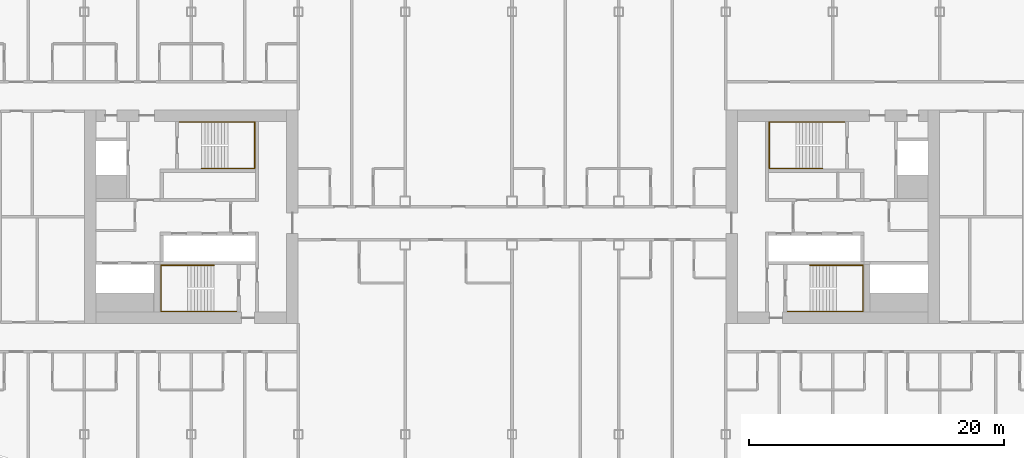
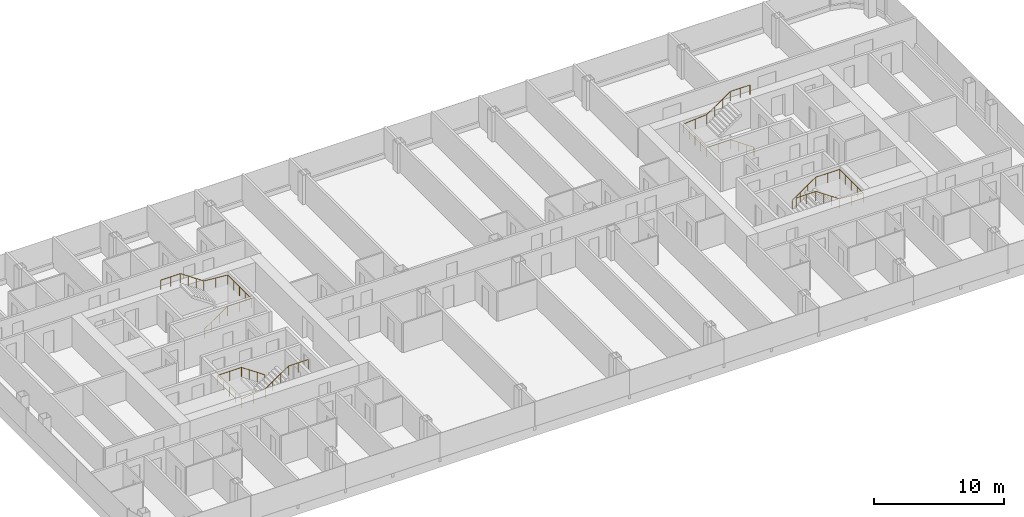
# One storey, part 26 of 26: 4 railings.
"""IFC4 building model written with IfcOpenShell, lengths in metres."""

from ifc_helpers import new_model, si_unit, direction, frame, origin, origin_2d, place, context, subcontext, project, spatial, circle, extrude, material, type_object, element, save


model = new_model("IFC4")

# Units and contexts
model_context = context("Model", 3, precision=1e-05, world=origin(), true_north=direction((0.0, 1.0)))
body_context = subcontext(model_context, "Body", "Model", "MODEL_VIEW")
ifc_project = project(units=[si_unit("LENGTHUNIT", "METRE"), si_unit("AREAUNIT", "SQUARE_METRE"), si_unit("VOLUMEUNIT", "CUBIC_METRE"), si_unit("PLANEANGLEUNIT", "RADIAN"), si_unit("MASSUNIT", "GRAM", prefix="KILO")], contexts=[model_context])

# Site, building, storey
site_placement = place(None, origin())
site = spatial("IfcSite", under=ifc_project, at=site_placement, CompositionType="ELEMENT")
building_placement = place(site_placement, origin())
building = spatial("IfcBuilding", under=site, at=building_placement, Name="Hakoniwa Tower and Hamabe Station Hall", CompositionType="ELEMENT")
storey_placement = place(building_placement, frame((0.0, 0.0, 134.199951171875)))
storey = spatial("IfcBuildingStorey", under=building, at=storey_placement, Name="L37", CompositionType="ELEMENT", Elevation=134.199951171875)

# Railings
ifc_material = material(Name="Stainless steel SUS304", Category="steel")
railing_type = type_object("IfcRailingType", Name="STAIR HANDRAIL 900", PredefinedType="HANDRAIL", material=ifc_material)
railing_1_placement = place(storey_placement, frame((-24.39990234375, 3.81005859375, 0.177734375)))
element("IfcRailing", 1, at=railing_1_placement, inside=storey, type_object=railing_type, Name="Handrail ST-1 L37 1", PredefinedType="HANDRAIL", context=body_context, shape_type="SweptSolid", body=[
    extrude(circle(Radius=0.02392578125, at=origin_2d()), frame((0.0, 0.0, 0.8759765625), z_axis=(0.825433201882, 0.0, 0.564499804456), x_axis=(0.0, 1.0, 0.0)), (0.0, 0.0, 1.0), 2.519775390625),
    extrude(circle(Radius=0.02392578125, at=origin_2d()), frame((2.079833984375, 0.0, 2.29833984375), z_axis=(1.0, 0.0, 0.0), x_axis=(0.0, 1.0, 0.0)), (0.0, 0.0, 1.0), 2.110107421875),
    extrude(circle(Radius=0.02392578125, at=origin_2d()), frame((4.18994140625, 0.0, 2.29833984375), z_axis=(0.0, 1.0, 0.0), x_axis=(-1.0, 0.0, 0.0)), (0.0, 0.0, 1.0), 3.6298828125),
    extrude(circle(Radius=0.02392578125, at=origin_2d()), frame((4.18994140625, 3.6298828125, 2.29833984375), z_axis=(-0.996471417081, 0.0, 0.083932800143), x_axis=(0.0, -1.0, 0.0)), (0.0, 0.0, 1.0), 2.11767578125),
    extrude(circle(Radius=0.02392578125, at=origin_2d()), frame((2.079833984375, 3.6298828125, 2.47607421875), z_axis=(-0.825478349766, 0.0, 0.564433781827), x_axis=(0.0, -1.0, 0.0)), (0.0, 0.0, 1.0), 2.51953125),
    extrude(circle(Radius=0.02392578125, at=origin_2d()), frame((0.0, 3.6298828125, 3.89794921875), z_axis=(-1.0, 0.0, 0.0), x_axis=(0.0, -1.0, 0.0)), (0.0, 0.0, 1.0), 1.739990234375),
    extrude(circle(Radius=0.02099609375, at=origin_2d()), origin(), (0.0, 0.0, 1.0), 0.851806640625),
    extrude(circle(Radius=0.02099609375, at=origin_2d()), frame((0.693359375, 0.0, 0.47412109375)), (0.0, 0.0, 1.0), 0.851806640625),
    extrude(circle(Radius=0.02099609375, at=origin_2d()), frame((1.386474609375, 0.0, 0.9482421875)), (0.0, 0.0, 1.0), 0.851806640625),
    extrude(circle(Radius=0.02099609375, at=origin_2d()), frame((2.079833984375, 0.0, 1.42236328125)), (0.0, 0.0, 1.0), 0.851806640625),
    extrude(circle(Radius=0.02099609375, at=origin_2d()), frame((3.134765625, 0.0, 1.42236328125)), (0.0, 0.0, 1.0), 0.851806640625),
    extrude(circle(Radius=0.02099609375, at=origin_2d()), frame((4.18994140625, 0.0, 1.42236328125)), (0.0, 0.0, 1.0), 0.851806640625),
    extrude(circle(Radius=0.02099609375, at=origin_2d()), frame((4.18994140625, 0.907470703125, 1.42236328125)), (0.0, 0.0, 1.0), 0.851806640625),
    extrude(circle(Radius=0.02099609375, at=origin_2d()), frame((4.18994140625, 1.81494140625, 1.42236328125)), (0.0, 0.0, 1.0), 0.851806640625),
    extrude(circle(Radius=0.02099609375, at=origin_2d()), frame((4.18994140625, 2.722412109375, 1.42236328125)), (0.0, 0.0, 1.0), 0.851806640625),
    extrude(circle(Radius=0.02099609375, at=origin_2d()), frame((4.18994140625, 3.6298828125, 1.42236328125)), (0.0, 0.0, 1.0), 0.851806640625),
    extrude(circle(Radius=0.02099609375, at=origin_2d()), frame((3.134765625, 3.6298828125, 1.51123046875)), (0.0, 0.0, 1.0), 0.851806640625),
    extrude(circle(Radius=0.02099609375, at=origin_2d()), frame((2.079833984375, 3.6298828125, 1.60009765625)), (0.0, 0.0, 1.0), 0.851806640625),
    extrude(circle(Radius=0.02099609375, at=origin_2d()), frame((1.386474609375, 3.6298828125, 2.07421875)), (0.0, 0.0, 1.0), 0.851806640625),
    extrude(circle(Radius=0.02099609375, at=origin_2d()), frame((0.693359375, 3.6298828125, 2.548095703125)), (0.0, 0.0, 1.0), 0.851806640625),
    extrude(circle(Radius=0.02099609375, at=origin_2d()), frame((0.0, 3.6298828125, 3.022216796875)), (0.0, 0.0, 1.0), 0.851806640625),
    extrude(circle(Radius=0.02099609375, at=origin_2d()), frame((-0.8701171875, 3.6298828125, 3.022216796875)), (0.0, 0.0, 1.0), 0.851806640625),
    extrude(circle(Radius=0.02099609375, at=origin_2d()), frame((-1.739990234375, 3.6298828125, 3.022216796875)), (0.0, 0.0, 1.0), 0.851806640625),
])
railing_2_placement = place(storey_placement, frame((-23.39990234375, -3.81005859375, 0.177734375)))
element("IfcRailing", 2, at=railing_2_placement, inside=storey, type_object=railing_type, Name="Handrail ST-2 L37 1", PredefinedType="HANDRAIL", context=body_context, shape_type="SweptSolid", body=[
    extrude(circle(Radius=0.02392578125, at=origin_2d()), frame((0.0, 0.0, 0.8759765625), z_axis=(-0.825464074169, 0.0, 0.564454659168), x_axis=(0.0, -1.0, 0.0)), (0.0, 0.0, 1.0), 2.519775390625),
    extrude(circle(Radius=0.02392578125, at=origin_2d()), frame((-2.080078125, 0.0, 2.29833984375), z_axis=(-1.0, 0.0, 0.0), x_axis=(0.0, -1.0, 0.0)), (0.0, 0.0, 1.0), 2.110107421875),
    extrude(circle(Radius=0.02392578125, at=origin_2d()), frame((-4.190185546875, 0.0, 2.29833984375), z_axis=(0.0, -1.0, 0.0), x_axis=(1.0, 0.0, 0.0)), (0.0, 0.0, 1.0), 3.6298828125),
    extrude(circle(Radius=0.02392578125, at=origin_2d()), frame((-4.190185546875, -3.6298828125, 2.29833984375), z_axis=(0.996471417081, 0.0, 0.083932800143), x_axis=(0.0, 1.0, 0.0)), (0.0, 0.0, 1.0), 2.11767578125),
    extrude(circle(Radius=0.02392578125, at=origin_2d()), frame((-2.080078125, -3.6298828125, 2.47607421875), z_axis=(0.82550921652, 0.0, 0.564388636881), x_axis=(0.0, 1.0, 0.0)), (0.0, 0.0, 1.0), 2.519775390625),
    extrude(circle(Radius=0.02392578125, at=origin_2d()), frame((0.0, -3.6298828125, 3.89794921875), z_axis=(1.0, 0.0, 0.0), x_axis=(0.0, 1.0, 0.0)), (0.0, 0.0, 1.0), 1.739990234375),
    extrude(circle(Radius=0.02099609375, at=origin_2d()), origin(), (0.0, 0.0, 1.0), 0.851806640625),
    extrude(circle(Radius=0.02099609375, at=origin_2d()), frame((-0.693359375, 0.0, 0.47412109375)), (0.0, 0.0, 1.0), 0.851806640625),
    extrude(circle(Radius=0.02099609375, at=origin_2d()), frame((-1.38671875, 0.0, 0.9482421875)), (0.0, 0.0, 1.0), 0.851806640625),
    extrude(circle(Radius=0.02099609375, at=origin_2d()), frame((-2.080078125, 0.0, 1.42236328125)), (0.0, 0.0, 1.0), 0.851806640625),
    extrude(circle(Radius=0.02099609375, at=origin_2d()), frame((-3.13525390625, 0.0, 1.42236328125)), (0.0, 0.0, 1.0), 0.851806640625),
    extrude(circle(Radius=0.02099609375, at=origin_2d()), frame((-4.190185546875, 0.0, 1.42236328125)), (0.0, 0.0, 1.0), 0.851806640625),
    extrude(circle(Radius=0.02099609375, at=origin_2d()), frame((-4.190185546875, -0.907470703125, 1.42236328125)), (0.0, 0.0, 1.0), 0.851806640625),
    extrude(circle(Radius=0.02099609375, at=origin_2d()), frame((-4.190185546875, -1.81494140625, 1.42236328125)), (0.0, 0.0, 1.0), 0.851806640625),
    extrude(circle(Radius=0.02099609375, at=origin_2d()), frame((-4.190185546875, -2.722412109375, 1.42236328125)), (0.0, 0.0, 1.0), 0.851806640625),
    extrude(circle(Radius=0.02099609375, at=origin_2d()), frame((-4.190185546875, -3.6298828125, 1.42236328125)), (0.0, 0.0, 1.0), 0.851806640625),
    extrude(circle(Radius=0.02099609375, at=origin_2d()), frame((-3.13525390625, -3.6298828125, 1.51123046875)), (0.0, 0.0, 1.0), 0.851806640625),
    extrude(circle(Radius=0.02099609375, at=origin_2d()), frame((-2.080078125, -3.6298828125, 1.60009765625)), (0.0, 0.0, 1.0), 0.851806640625),
    extrude(circle(Radius=0.02099609375, at=origin_2d()), frame((-1.38671875, -3.6298828125, 2.07421875)), (0.0, 0.0, 1.0), 0.851806640625),
    extrude(circle(Radius=0.02099609375, at=origin_2d()), frame((-0.693359375, -3.6298828125, 2.548095703125)), (0.0, 0.0, 1.0), 0.851806640625),
    extrude(circle(Radius=0.02099609375, at=origin_2d()), frame((0.0, -3.6298828125, 3.022216796875)), (0.0, 0.0, 1.0), 0.851806640625),
    extrude(circle(Radius=0.02099609375, at=origin_2d()), frame((0.8701171875, -3.6298828125, 3.022216796875)), (0.0, 0.0, 1.0), 0.851806640625),
    extrude(circle(Radius=0.02099609375, at=origin_2d()), frame((1.739990234375, -3.6298828125, 3.022216796875)), (0.0, 0.0, 1.0), 0.851806640625),
])
railing_3_placement = place(storey_placement, frame((24.39990234375, 3.81005859375, 0.177734375)))
element("IfcRailing", 3, at=railing_3_placement, inside=storey, type_object=railing_type, Name="Handrail ST-3 L37 1", PredefinedType="HANDRAIL", context=body_context, shape_type="SweptSolid", body=[
    extrude(circle(Radius=0.02392578125, at=origin_2d()), frame((0.0, 0.0, 0.8759765625), z_axis=(-0.825433201882, 0.0, 0.564499804456), x_axis=(0.0, -1.0, 0.0)), (0.0, 0.0, 1.0), 2.519775390625),
    extrude(circle(Radius=0.02392578125, at=origin_2d()), frame((-2.079833984375, 0.0, 2.29833984375), z_axis=(-1.0, 0.0, 0.0), x_axis=(0.0, -1.0, 0.0)), (0.0, 0.0, 1.0), 2.110107421875),
    extrude(circle(Radius=0.02392578125, at=origin_2d()), frame((-4.18994140625, 0.0, 2.29833984375), z_axis=(0.0, 1.0, 0.0), x_axis=(-1.0, 0.0, 0.0)), (0.0, 0.0, 1.0), 3.6298828125),
    extrude(circle(Radius=0.02392578125, at=origin_2d()), frame((-4.18994140625, 3.6298828125, 2.29833984375), z_axis=(0.996471417081, 0.0, 0.083932800143), x_axis=(0.0, 1.0, 0.0)), (0.0, 0.0, 1.0), 2.11767578125),
    extrude(circle(Radius=0.02392578125, at=origin_2d()), frame((-2.079833984375, 3.6298828125, 2.47607421875), z_axis=(0.825478349766, 0.0, 0.564433781827), x_axis=(0.0, 1.0, 0.0)), (0.0, 0.0, 1.0), 2.51953125),
    extrude(circle(Radius=0.02392578125, at=origin_2d()), frame((0.0, 3.6298828125, 3.89794921875), z_axis=(1.0, 0.0, 0.0), x_axis=(0.0, 1.0, 0.0)), (0.0, 0.0, 1.0), 1.739990234375),
    extrude(circle(Radius=0.02099609375, at=origin_2d()), origin(), (0.0, 0.0, 1.0), 0.851806640625),
    extrude(circle(Radius=0.02099609375, at=origin_2d()), frame((-0.693359375, 0.0, 0.47412109375)), (0.0, 0.0, 1.0), 0.851806640625),
    extrude(circle(Radius=0.02099609375, at=origin_2d()), frame((-1.386474609375, 0.0, 0.9482421875)), (0.0, 0.0, 1.0), 0.851806640625),
    extrude(circle(Radius=0.02099609375, at=origin_2d()), frame((-2.079833984375, 0.0, 1.42236328125)), (0.0, 0.0, 1.0), 0.851806640625),
    extrude(circle(Radius=0.02099609375, at=origin_2d()), frame((-3.134765625, 0.0, 1.42236328125)), (0.0, 0.0, 1.0), 0.851806640625),
    extrude(circle(Radius=0.02099609375, at=origin_2d()), frame((-4.18994140625, 0.0, 1.42236328125)), (0.0, 0.0, 1.0), 0.851806640625),
    extrude(circle(Radius=0.02099609375, at=origin_2d()), frame((-4.18994140625, 0.907470703125, 1.42236328125)), (0.0, 0.0, 1.0), 0.851806640625),
    extrude(circle(Radius=0.02099609375, at=origin_2d()), frame((-4.18994140625, 1.81494140625, 1.42236328125)), (0.0, 0.0, 1.0), 0.851806640625),
    extrude(circle(Radius=0.02099609375, at=origin_2d()), frame((-4.18994140625, 2.722412109375, 1.42236328125)), (0.0, 0.0, 1.0), 0.851806640625),
    extrude(circle(Radius=0.02099609375, at=origin_2d()), frame((-4.18994140625, 3.6298828125, 1.42236328125)), (0.0, 0.0, 1.0), 0.851806640625),
    extrude(circle(Radius=0.02099609375, at=origin_2d()), frame((-3.134765625, 3.6298828125, 1.51123046875)), (0.0, 0.0, 1.0), 0.851806640625),
    extrude(circle(Radius=0.02099609375, at=origin_2d()), frame((-2.079833984375, 3.6298828125, 1.60009765625)), (0.0, 0.0, 1.0), 0.851806640625),
    extrude(circle(Radius=0.02099609375, at=origin_2d()), frame((-1.386474609375, 3.6298828125, 2.07421875)), (0.0, 0.0, 1.0), 0.851806640625),
    extrude(circle(Radius=0.02099609375, at=origin_2d()), frame((-0.693359375, 3.6298828125, 2.548095703125)), (0.0, 0.0, 1.0), 0.851806640625),
    extrude(circle(Radius=0.02099609375, at=origin_2d()), frame((0.0, 3.6298828125, 3.022216796875)), (0.0, 0.0, 1.0), 0.851806640625),
    extrude(circle(Radius=0.02099609375, at=origin_2d()), frame((0.8701171875, 3.6298828125, 3.022216796875)), (0.0, 0.0, 1.0), 0.851806640625),
    extrude(circle(Radius=0.02099609375, at=origin_2d()), frame((1.739990234375, 3.6298828125, 3.022216796875)), (0.0, 0.0, 1.0), 0.851806640625),
])
railing_4_placement = place(storey_placement, frame((23.39990234375, -3.81005859375, 0.177734375)))
element("IfcRailing", 4, at=railing_4_placement, inside=storey, type_object=railing_type, Name="Handrail ST-4 L37 1", PredefinedType="HANDRAIL", context=body_context, shape_type="SweptSolid", body=[
    extrude(circle(Radius=0.02392578125, at=origin_2d()), frame((0.0, 0.0, 0.8759765625), z_axis=(0.825464074169, 0.0, 0.564454659168), x_axis=(0.0, 1.0, 0.0)), (0.0, 0.0, 1.0), 2.519775390625),
    extrude(circle(Radius=0.02392578125, at=origin_2d()), frame((2.080078125, 0.0, 2.29833984375), z_axis=(1.0, 0.0, 0.0), x_axis=(0.0, 1.0, 0.0)), (0.0, 0.0, 1.0), 2.110107421875),
    extrude(circle(Radius=0.02392578125, at=origin_2d()), frame((4.190185546875, 0.0, 2.29833984375), z_axis=(0.0, -1.0, 0.0), x_axis=(1.0, 0.0, 0.0)), (0.0, 0.0, 1.0), 3.6298828125),
    extrude(circle(Radius=0.02392578125, at=origin_2d()), frame((4.190185546875, -3.6298828125, 2.29833984375), z_axis=(-0.996471417081, 0.0, 0.083932800143), x_axis=(0.0, -1.0, 0.0)), (0.0, 0.0, 1.0), 2.11767578125),
    extrude(circle(Radius=0.02392578125, at=origin_2d()), frame((2.080078125, -3.6298828125, 2.47607421875), z_axis=(-0.82550921652, 0.0, 0.564388636881), x_axis=(0.0, -1.0, 0.0)), (0.0, 0.0, 1.0), 2.519775390625),
    extrude(circle(Radius=0.02392578125, at=origin_2d()), frame((0.0, -3.6298828125, 3.89794921875), z_axis=(-1.0, 0.0, 0.0), x_axis=(0.0, -1.0, 0.0)), (0.0, 0.0, 1.0), 1.739990234375),
    extrude(circle(Radius=0.02099609375, at=origin_2d()), origin(), (0.0, 0.0, 1.0), 0.851806640625),
    extrude(circle(Radius=0.02099609375, at=origin_2d()), frame((0.693359375, 0.0, 0.47412109375)), (0.0, 0.0, 1.0), 0.851806640625),
    extrude(circle(Radius=0.02099609375, at=origin_2d()), frame((1.38671875, 0.0, 0.9482421875)), (0.0, 0.0, 1.0), 0.851806640625),
    extrude(circle(Radius=0.02099609375, at=origin_2d()), frame((2.080078125, 0.0, 1.42236328125)), (0.0, 0.0, 1.0), 0.851806640625),
    extrude(circle(Radius=0.02099609375, at=origin_2d()), frame((3.13525390625, 0.0, 1.42236328125)), (0.0, 0.0, 1.0), 0.851806640625),
    extrude(circle(Radius=0.02099609375, at=origin_2d()), frame((4.190185546875, 0.0, 1.42236328125)), (0.0, 0.0, 1.0), 0.851806640625),
    extrude(circle(Radius=0.02099609375, at=origin_2d()), frame((4.190185546875, -0.907470703125, 1.42236328125)), (0.0, 0.0, 1.0), 0.851806640625),
    extrude(circle(Radius=0.02099609375, at=origin_2d()), frame((4.190185546875, -1.81494140625, 1.42236328125)), (0.0, 0.0, 1.0), 0.851806640625),
    extrude(circle(Radius=0.02099609375, at=origin_2d()), frame((4.190185546875, -2.722412109375, 1.42236328125)), (0.0, 0.0, 1.0), 0.851806640625),
    extrude(circle(Radius=0.02099609375, at=origin_2d()), frame((4.190185546875, -3.6298828125, 1.42236328125)), (0.0, 0.0, 1.0), 0.851806640625),
    extrude(circle(Radius=0.02099609375, at=origin_2d()), frame((3.13525390625, -3.6298828125, 1.51123046875)), (0.0, 0.0, 1.0), 0.851806640625),
    extrude(circle(Radius=0.02099609375, at=origin_2d()), frame((2.080078125, -3.6298828125, 1.60009765625)), (0.0, 0.0, 1.0), 0.851806640625),
    extrude(circle(Radius=0.02099609375, at=origin_2d()), frame((1.38671875, -3.6298828125, 2.07421875)), (0.0, 0.0, 1.0), 0.851806640625),
    extrude(circle(Radius=0.02099609375, at=origin_2d()), frame((0.693359375, -3.6298828125, 2.548095703125)), (0.0, 0.0, 1.0), 0.851806640625),
    extrude(circle(Radius=0.02099609375, at=origin_2d()), frame((0.0, -3.6298828125, 3.022216796875)), (0.0, 0.0, 1.0), 0.851806640625),
    extrude(circle(Radius=0.02099609375, at=origin_2d()), frame((-0.8701171875, -3.6298828125, 3.022216796875)), (0.0, 0.0, 1.0), 0.851806640625),
    extrude(circle(Radius=0.02099609375, at=origin_2d()), frame((-1.739990234375, -3.6298828125, 3.022216796875)), (0.0, 0.0, 1.0), 0.851806640625),
])

save(model, "model.ifc")
